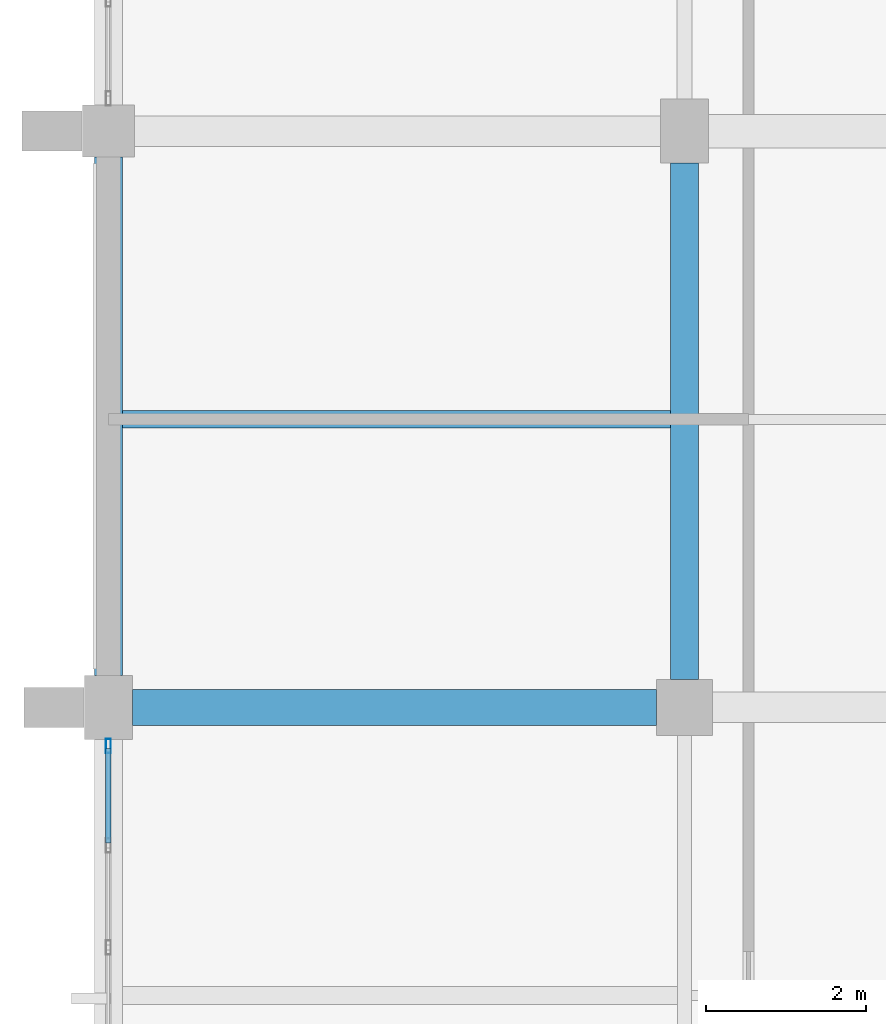
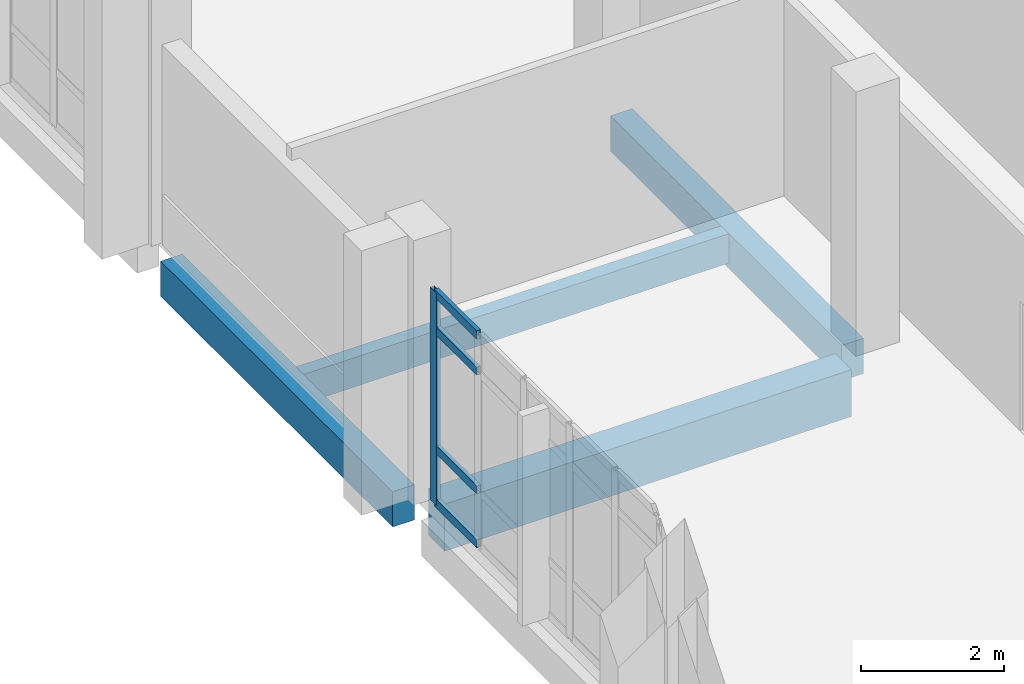
# One storey, part 54 of 116: 5 members, 4 beams, 1 element without a shape of its own.
"""IFC4 building model written with IfcOpenShell, lengths in metres."""

from ifc_helpers import new_model, si_unit, direction, frame, origin, origin_2d, place, context, subcontext, project, spatial, rectangle, hollow_rectangle, extrude, material, material_profile, profile_set, type_object, element, aggregate, save


model = new_model("IFC4")

# Units and contexts
model_context = context("Model", 3, precision=1e-05, world=origin(), true_north=direction((0.0, 1.0)))
body_context = subcontext(model_context, "Body", "Model", "MODEL_VIEW")
ifc_project = project(units=[si_unit("LENGTHUNIT", "METRE"), si_unit("AREAUNIT", "SQUARE_METRE"), si_unit("VOLUMEUNIT", "CUBIC_METRE"), si_unit("PLANEANGLEUNIT", "RADIAN"), si_unit("MASSUNIT", "GRAM", prefix="KILO")], contexts=[model_context])

# Site, building, storey
site_placement = place(None, origin())
site = spatial("IfcSite", under=ifc_project, at=site_placement, CompositionType="ELEMENT")
building_placement = place(site_placement, origin())
building = spatial("IfcBuilding", under=site, at=building_placement, Name="Kalluvel Institute of Natural Sciences", CompositionType="ELEMENT")
storey_placement = place(building_placement, frame((0.0, 0.0, 14.39990234375)))
storey = spatial("IfcBuildingStorey", under=building, at=storey_placement, Name="L03", CompositionType="ELEMENT", Elevation=14.39990234375)

# Beams
ifc_material_1 = material(Name="Concrete M40", Category="concrete")
ifc_material_profile_1 = material_profile(ifc_material_1, rectangle(XDim=0.35009765625, YDim=0.60009765625, at=origin_2d()), Name="RCB 350x600")
ifc_profile_set_1 = profile_set([ifc_material_profile_1], Name="Concrete M40")
beam_type_1 = type_object("IfcBeamType", Name="BM-RC350x600", PredefinedType="BEAM", material=ifc_profile_set_1)
beam_1_placement = place(storey_placement, frame((21.199951171875, 79.14990234375, -0.599853515625), z_axis=(0.0, 1.0, 0.0), x_axis=(-1.0, 0.0, 0.0)))
element("IfcBeam", 1, at=beam_1_placement, inside=storey, type_object=beam_type_1, Name="L03 girder GIR-L03-NS-X212-Y788", PredefinedType="BEAM", context=body_context, shape_type="SweptSolid", body=[
    extrude(rectangle(XDim=0.35009765625, YDim=0.60009765625, at=origin_2d()), origin(), (0.0, 0.0, 1.0), 6.4501953125),
])
ifc_material_profile_2 = material_profile(ifc_material_1, rectangle(XDim=0.449951171875, YDim=0.800048828125, at=origin_2d()), Name="RCB 450x800")
ifc_profile_set_2 = profile_set([ifc_material_profile_2], Name="Concrete M40")
beam_type_2 = type_object("IfcBeamType", Name="BM-RC450x800", PredefinedType="BEAM", material=ifc_profile_set_2)
beam_2_placement = place(storey_placement, frame((14.300048828125, 78.800048828125, -0.699951171875), z_axis=(1.0, 0.0, 0.0), x_axis=(0.0, 1.0, 0.0)))
element("IfcBeam", 2, at=beam_2_placement, inside=storey, type_object=beam_type_2, Name="L03 girder GIR-L03-EW-X140-Y788", PredefinedType="BEAM", context=body_context, shape_type="SweptSolid", body=[
    extrude(rectangle(XDim=0.449951171875, YDim=0.800048828125, at=origin_2d()), origin(), (0.0, 0.0, 1.0), 6.550048828125),
])

# Curtain wall, members
ifc_material_2 = material(Name="Aluminium AW-6063 T6", Category="aluminium")
curtain_wall_type = type_object("IfcCurtainWallType", Name="CW-DRY-45", PredefinedType="USERDEFINED", material=ifc_material_2)
curtain_wall_placement = place(storey_placement, origin())
curtain_wall = element("IfcCurtainWall", 3, at=curtain_wall_placement, inside=storey, type_object=curtain_wall_type, Name="L03 Gothic lancet curtain wall CWA-L03-X140-Y720", ObjectType="UNITISED LANCET FACADE", PredefinedType="USERDEFINED")
ifc_material_profile_3 = material_profile(ifc_material_2, hollow_rectangle(XDim=0.06494140625, YDim=0.179931640625, WallThickness=0.00439453125, at=origin_2d()), Name="CWM 65x180")
ifc_profile_set_3 = profile_set([ifc_material_profile_3], Name="Aluminium AW-6063 T6")
member_type_1 = type_object("IfcMemberType", Name="CWM-65x180", PredefinedType="MULLION", material=ifc_profile_set_3)
member_1_placement = place(storey_placement, frame((14.0, 78.3173828125, 0.0), z_axis=(0.0, 0.0, 1.0), x_axis=(-1.0, 0.0, 0.0)))
member_1 = element("IfcMember", 4, at=member_1_placement, type_object=member_type_1, Name="CW-03 mullion 6", PredefinedType="MULLION", context=body_context, shape_type="SweptSolid", body=[
    extrude(hollow_rectangle(XDim=0.06494140625, YDim=0.179931640625, WallThickness=0.00439453125, at=origin_2d()), origin(), (0.0, 0.0, 1.0), 3.6201171875),
])
ifc_material_profile_4 = material_profile(ifc_material_2, hollow_rectangle(XDim=0.06494140625, YDim=0.139892578125, WallThickness=0.00439453125, at=origin_2d()), Name="CWT 65x140")
ifc_profile_set_4 = profile_set([ifc_material_profile_4], Name="Aluminium AW-6063 T6")
member_type_2 = type_object("IfcMemberType", Name="CWT-65x140", PredefinedType="USERDEFINED", material=ifc_profile_set_4)
member_2_placement = place(storey_placement, frame((14.0, 77.107421875, 0.03271484375), z_axis=(0.0, 1.0, 0.0), x_axis=(-1.0, 0.0, 0.0)))
member_2 = element("IfcMember", 5, at=member_2_placement, type_object=member_type_2, Name="CW-03 transom 5.1", ObjectType="TRANSOM", PredefinedType="USERDEFINED", context=body_context, shape_type="SweptSolid", body=[
    extrude(hollow_rectangle(XDim=0.06494140625, YDim=0.139892578125, WallThickness=0.00439453125, at=origin_2d()), origin(), (0.0, 0.0, 1.0), 1.177490234375),
])
member_3_placement = place(storey_placement, frame((14.0, 77.107421875, 0.9501953125), z_axis=(0.0, 1.0, 0.0), x_axis=(-1.0, 0.0, 0.0)))
member_3 = element("IfcMember", 6, at=member_3_placement, type_object=member_type_2, Name="CW-03 transom 5.2", ObjectType="TRANSOM", PredefinedType="USERDEFINED", context=body_context, shape_type="SweptSolid", body=[
    extrude(hollow_rectangle(XDim=0.06494140625, YDim=0.139892578125, WallThickness=0.00439453125, at=origin_2d()), origin(), (0.0, 0.0, 1.0), 1.177490234375),
])
member_4_placement = place(storey_placement, frame((14.0, 77.107421875, 2.97021484375), z_axis=(0.0, 1.0, 0.0), x_axis=(-1.0, 0.0, 0.0)))
member_4 = element("IfcMember", 7, at=member_4_placement, type_object=member_type_2, Name="CW-03 transom 5.3", ObjectType="TRANSOM", PredefinedType="USERDEFINED", context=body_context, shape_type="SweptSolid", body=[
    extrude(hollow_rectangle(XDim=0.06494140625, YDim=0.139892578125, WallThickness=0.00439453125, at=origin_2d()), origin(), (0.0, 0.0, 1.0), 1.177490234375),
])
member_5_placement = place(storey_placement, frame((14.0, 77.107421875, 3.587646484375), z_axis=(0.0, 1.0, 0.0), x_axis=(-1.0, 0.0, 0.0)))
member_5 = element("IfcMember", 8, at=member_5_placement, type_object=member_type_2, Name="CW-03 transom 5.4", ObjectType="TRANSOM", PredefinedType="USERDEFINED", context=body_context, shape_type="SweptSolid", body=[
    extrude(hollow_rectangle(XDim=0.06494140625, YDim=0.139892578125, WallThickness=0.00439453125, at=origin_2d()), origin(), (0.0, 0.0, 1.0), 1.177490234375),
])
aggregate(curtain_wall, [member_1, member_2, member_3, member_4, member_5])

# Beams
ifc_material_profile_5 = material_profile(ifc_material_1, rectangle(XDim=0.35009765625, YDim=0.60009765625, at=origin_2d()), Name="RCB 350x600")
ifc_profile_set_5 = profile_set([ifc_material_profile_5], Name="Concrete M40")
beam_type_3 = type_object("IfcBeamType", Name="SP-RC350x600", PredefinedType="SPANDREL", material=ifc_profile_set_5)
beam_3_placement = place(storey_placement, frame((14.0, 79.199951171875, -0.599853515625), z_axis=(0.0, 1.0, 0.0), x_axis=(-1.0, 0.0, 0.0)))
element("IfcBeam", 9, at=beam_3_placement, inside=storey, type_object=beam_type_3, Name="L03 girder GIR-L03-NS-X140-Y788", PredefinedType="SPANDREL", context=body_context, shape_type="SweptSolid", body=[
    extrude(rectangle(XDim=0.35009765625, YDim=0.60009765625, at=origin_2d()), origin(), (0.0, 0.0, 1.0), 6.47509765625),
])
ifc_material_profile_6 = material_profile(ifc_material_1, rectangle(XDim=0.219970703125, YDim=0.5, at=origin_2d()), Name="WAF 220x500")
ifc_profile_set_6 = profile_set([ifc_material_profile_6], Name="Concrete M40")
beam_type_4 = type_object("IfcBeamType", Name="WJ-220x500", PredefinedType="JOIST", material=ifc_profile_set_6)
beam_4_placement = place(storey_placement, frame((14.175048828125, 82.39990234375, -0.5498046875), z_axis=(1.0, 0.0, 0.0), x_axis=(0.0, 1.0, 0.0)))
element("IfcBeam", 10, at=beam_4_placement, inside=storey, type_object=beam_type_4, Name="L03 floor rib RIB-L03-0704", PredefinedType="JOIST", context=body_context, shape_type="SweptSolid", body=[
    extrude(rectangle(XDim=0.219970703125, YDim=0.5, at=origin_2d()), origin(), (0.0, 0.0, 1.0), 6.849853515625),
])

save(model, "model.ifc")
